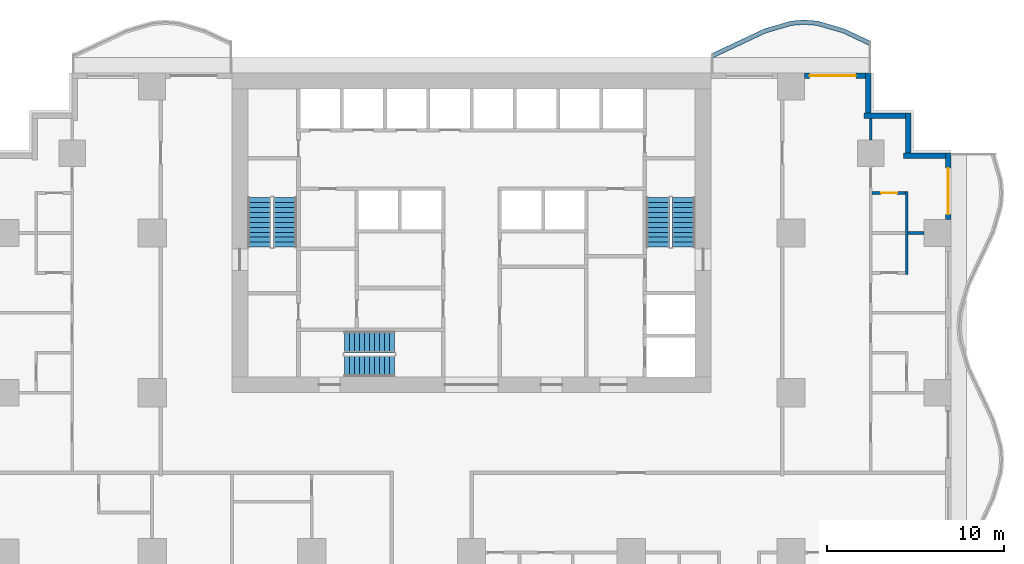
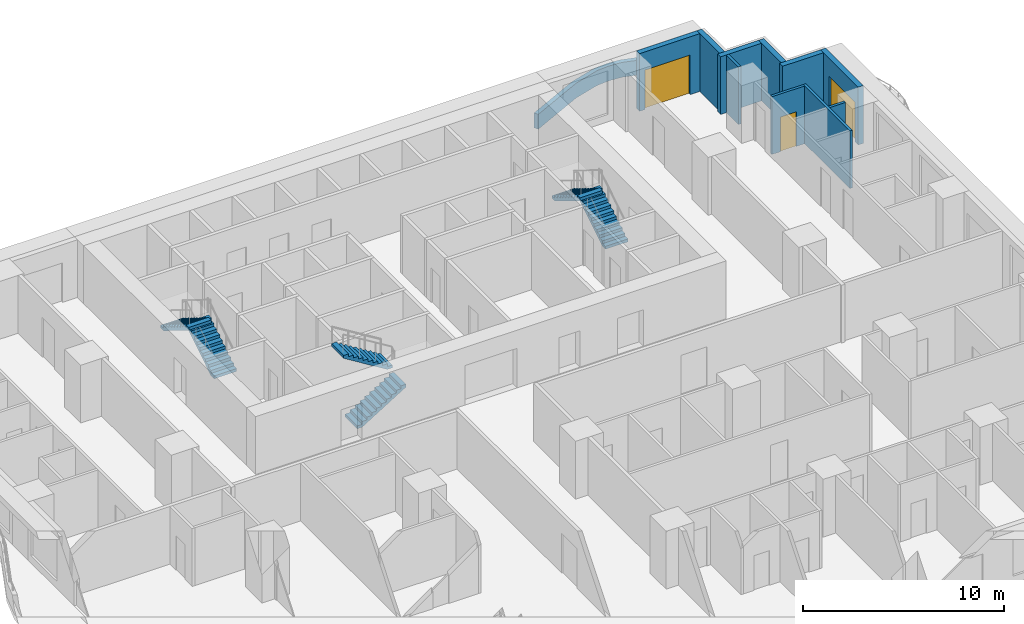
# One storey, part 7 of 14: 11 walls, 6 stair flights, 3 doors, 3 openings, 3 elements without a shape of their own.
"""IFC4 building model written with IfcOpenShell, lengths in metres."""

from ifc_helpers import new_model, si_unit, direction, frame, frame_2d, origin, place, context, subcontext, project, spatial, polyline, rectangle, outline, extrude, material, layer, layer_set, type_object, element, fill, aggregate, save


model = new_model("IFC4")

# Units and contexts
model_context = context("Model", 3, precision=1e-05, world=origin(), true_north=direction((0.0, 1.0)))
body_context = subcontext(model_context, "Body", "Model", "MODEL_VIEW")
ifc_project = project(units=[si_unit("LENGTHUNIT", "METRE"), si_unit("AREAUNIT", "SQUARE_METRE"), si_unit("VOLUMEUNIT", "CUBIC_METRE"), si_unit("PLANEANGLEUNIT", "RADIAN"), si_unit("MASSUNIT", "GRAM", prefix="KILO")], contexts=[model_context])

# Site, building, storey
site_placement = place(None, origin())
site = spatial("IfcSite", under=ifc_project, at=site_placement, CompositionType="ELEMENT")
building_placement = place(site_placement, origin())
building = spatial("IfcBuilding", under=site, at=building_placement, Name="Orbiselva Terraces", CompositionType="ELEMENT")
storey_placement = place(building_placement, frame((0.0, 0.0, 15.0)))
storey = spatial("IfcBuildingStorey", under=building, at=storey_placement, Name="L03", CompositionType="ELEMENT", Elevation=15.0)

# Wall
ifc_material_1 = material(Name="Concrete C40/50", Category="concrete")
ifc_layer_1 = layer(ifc_material_1, 0.25)
ifc_layer_set_1 = layer_set([ifc_layer_1], Name="Concrete C40/50")
wall_type_1 = type_object("IfcWallType", Name="ENV-PLANTER-250x900", PredefinedType="USERDEFINED", material=ifc_layer_set_1)
wall_1_placement = place(storey_placement, origin())
element("IfcWall", 1, at=wall_1_placement, inside=storey, type_object=wall_type_1, Name="Balcony planter L03 NE", ObjectType="PLANTER", PredefinedType="USERDEFINED", context=body_context, shape_type="SweptSolid", body=[
    extrude(outline(polyline([(22.5, 24.3), (21.0, 25.005342), (19.5, 25.441268), (18.75, 25.5), (18.0, 25.441268), (16.5, 25.005342), (15.0, 24.3), (13.5, 23.594658), (13.606383, 23.368422), (15.106383, 24.073764), (16.588618, 24.770753), (18.045114, 25.194035), (18.75, 25.249235), (19.454886, 25.194035), (20.911382, 24.770753), (22.393617, 24.073764), (22.5, 24.3)])), origin(), (0.0, 0.0, 1.0), 0.9),
])

# Wall, opening, door
ifc_material_2 = material(Name="Terracotta cladding on masonry backing", Category="masonry")
ifc_layer_2 = layer(ifc_material_2, 0.3)
ifc_layer_set_2 = layer_set([ifc_layer_2], Name="Terracotta cladding on masonry backing")
wall_type_2 = type_object("IfcWallType", Name="ENV-WALL-TERRACOTTA-300", PredefinedType="SOLIDWALL", material=ifc_layer_set_2)
wall_2_placement = place(storey_placement, frame((26.85, 18.0, 0.0), z_axis=(0.0, 0.0, 1.0), x_axis=(0.0, -1.0, 0.0)))
wall_2 = element("IfcWall", 2, at=wall_2_placement, inside=storey, type_object=wall_type_2, Name="Facade wall L03 E", PredefinedType="SOLIDWALL", context=body_context, shape_type="SweptSolid", body=[
    extrude(rectangle(XDim=3.75, YDim=0.3, at=frame_2d((1.875, 0.0))), origin(), (0.0, 0.0, 1.0), 3.5),
])
opening_1_placement = place(wall_2_placement, frame((0.85, 0.0, 0.0)))
opening_1 = element("IfcOpeningElement", 3, at=opening_1_placement, cuts=wall_2, Name="Opening Z1-A-E06", PredefinedType="OPENING", context=body_context, shape_type="SweptSolid", body=[
    extrude(rectangle(XDim=2.6, YDim=2.4, at=frame_2d((1.3, 1.2))), frame((0.0, 0.16, 0.0), z_axis=(0.0, -1.0, 0.0), x_axis=(1.0, 0.0, 0.0)), (0.0, 0.0, 1.0), 0.32),
])
ifc_material_3 = material(Name="Clear low-e glazing in aluminium frame", Category="aluminium")
door_type_1 = type_object("IfcDoorType", Name="BALCONY DOOR 2600 X 2400", OperationType="DOUBLE_DOOR_SLIDING", PredefinedType="DOOR", material=ifc_material_3)
door_1_placement = place(opening_1_placement, origin())
door_1 = element("IfcDoor", 4, at=door_1_placement, inside=storey, type_object=door_type_1, Name="Z1-A-E06", OperationType="SINGLE_SWING_LEFT", OverallHeight=2.4, OverallWidth=2.6, PredefinedType="DOOR", context=body_context, shape_type="SweptSolid", body=[
    extrude(rectangle(XDim=2.6, YDim=2.4, at=frame_2d((1.3, 1.2))), frame((0.0, 0.025, 0.0), z_axis=(0.0, -1.0, 0.0), x_axis=(1.0, 0.0, 0.0)), (0.0, 0.0, 1.0), 0.05),
])
fill(opening_1, door_1)

# Walls
wall_3_placement = place(storey_placement, frame((24.35, 17.85, 0.0), z_axis=(0.0, 0.0, 1.0), x_axis=(1.0, 0.0, 0.0)))
element("IfcWall", 5, at=wall_3_placement, inside=storey, type_object=wall_type_2, Name="Facade wall L03 STEP", PredefinedType="SOLIDWALL", context=body_context, shape_type="SweptSolid", body=[
    extrude(rectangle(XDim=2.35, YDim=0.3, at=frame_2d((1.175, 0.0))), origin(), (0.0, 0.0, 1.0), 3.5),
])
wall_4_placement = place(storey_placement, frame((24.6, 20.25, 0.0), z_axis=(0.0, 0.0, 1.0), x_axis=(0.0, -1.0, 0.0)))
element("IfcWall", 6, at=wall_4_placement, inside=storey, type_object=wall_type_2, Name="Facade wall L03 STEP", PredefinedType="SOLIDWALL", context=body_context, shape_type="SweptSolid", body=[
    extrude(rectangle(XDim=2.25, YDim=0.3, at=frame_2d((1.125, 0.0))), origin(), (0.0, 0.0, 1.0), 3.5),
])
wall_5_placement = place(storey_placement, frame((22.1, 20.1, 0.0), z_axis=(0.0, 0.0, 1.0), x_axis=(1.0, 0.0, 0.0)))
element("IfcWall", 7, at=wall_5_placement, inside=storey, type_object=wall_type_2, Name="Facade wall L03 STEP", PredefinedType="SOLIDWALL", context=body_context, shape_type="SweptSolid", body=[
    extrude(rectangle(XDim=2.35, YDim=0.3, at=frame_2d((1.175, 0.0))), origin(), (0.0, 0.0, 1.0), 3.5),
])
wall_6_placement = place(storey_placement, frame((22.35, 22.5, 0.0), z_axis=(0.0, 0.0, 1.0), x_axis=(0.0, -1.0, 0.0)))
element("IfcWall", 8, at=wall_6_placement, inside=storey, type_object=wall_type_2, Name="Facade wall L03 STEP", PredefinedType="SOLIDWALL", context=body_context, shape_type="SweptSolid", body=[
    extrude(rectangle(XDim=2.25, YDim=0.3, at=frame_2d((1.125, 0.0))), origin(), (0.0, 0.0, 1.0), 3.5),
])

# Wall, opening, door
wall_7_placement = place(storey_placement, frame((18.75, 22.35, 0.0), z_axis=(0.0, 0.0, 1.0), x_axis=(1.0, 0.0, 0.0)))
wall_7 = element("IfcWall", 9, at=wall_7_placement, inside=storey, type_object=wall_type_2, Name="Facade wall L03 NE", PredefinedType="SOLIDWALL", context=body_context, shape_type="SweptSolid", body=[
    extrude(rectangle(XDim=3.45, YDim=0.3, at=frame_2d((1.725, 0.0))), origin(), (0.0, 0.0, 1.0), 3.5),
])
opening_2_placement = place(wall_7_placement, frame((0.3, 0.0, 0.0)))
opening_2 = element("IfcOpeningElement", 10, at=opening_2_placement, cuts=wall_7, Name="Opening Z1-A-E07", PredefinedType="OPENING", context=body_context, shape_type="SweptSolid", body=[
    extrude(rectangle(XDim=2.6, YDim=2.4, at=frame_2d((1.3, 1.2))), frame((0.0, 0.16, 0.0), z_axis=(0.0, -1.0, 0.0), x_axis=(1.0, 0.0, 0.0)), (0.0, 0.0, 1.0), 0.32),
])
door_2_placement = place(opening_2_placement, origin())
door_2 = element("IfcDoor", 11, at=door_2_placement, inside=storey, type_object=door_type_1, Name="Z1-A-E07", OperationType="SINGLE_SWING_LEFT", OverallHeight=2.4, OverallWidth=2.6, PredefinedType="DOOR", context=body_context, shape_type="SweptSolid", body=[
    extrude(rectangle(XDim=2.6, YDim=2.4, at=frame_2d((1.3, 1.2))), frame((0.0, 0.025, 0.0), z_axis=(0.0, -1.0, 0.0), x_axis=(1.0, 0.0, 0.0)), (0.0, 0.0, 1.0), 0.05),
])
fill(opening_2, door_2)

# Wall
ifc_material_4 = material(Name="Plasterboard on steel stud partition", Category="steel")
ifc_layer_3 = layer(ifc_material_4, 0.15)
ifc_layer_set_3 = layer_set([ifc_layer_3], Name="Plasterboard on steel stud partition")
wall_type_3 = type_object("IfcWallType", Name="UNIT-PARTITION-150", PredefinedType="PARTITIONING", material=ifc_layer_set_3)
wall_8_placement = place(storey_placement, frame((24.6, 13.5, 0.0), z_axis=(0.0, 0.0, 1.0), x_axis=(1.0, 0.0, 0.0)))
element("IfcWall", 12, at=wall_8_placement, inside=storey, type_object=wall_type_3, Name="PARTITION L03-044", PredefinedType="PARTITIONING", context=body_context, shape_type="SweptSolid", body=[
    extrude(rectangle(XDim=0.9, YDim=0.15, at=frame_2d((0.45, 0.0))), origin(), (0.0, 0.0, 1.0), 3.5),
])

# Wall, opening, door
wall_9_placement = place(storey_placement, frame((24.45, 15.75, 0.0), z_axis=(0.0, 0.0, 1.0), x_axis=(-1.0, 0.0, 0.0)))
wall_9 = element("IfcWall", 13, at=wall_9_placement, inside=storey, type_object=wall_type_3, Name="PARTITION L03-046", PredefinedType="PARTITIONING", context=body_context, shape_type="SweptSolid", body=[
    extrude(rectangle(XDim=1.875, YDim=0.15, at=frame_2d((0.9375, 0.0))), origin(), (0.0, 0.0, 1.0), 3.5),
])
opening_3_placement = place(wall_9_placement, frame((0.475, 0.0, 0.0)))
opening_3 = element("IfcOpeningElement", 14, at=opening_3_placement, cuts=wall_9, Name="Opening Z1-A-16", PredefinedType="OPENING", context=body_context, shape_type="SweptSolid", body=[
    extrude(rectangle(XDim=0.9, YDim=2.1, at=frame_2d((0.45, 1.05))), frame((0.0, 0.085, 0.0), z_axis=(0.0, -1.0, 0.0), x_axis=(1.0, 0.0, 0.0)), (0.0, 0.0, 1.0), 0.17),
])
ifc_material_5 = material(Name="Painted timber door leaf", Category="wood")
door_type_2 = type_object("IfcDoorType", Name="BATH DOOR 900", OperationType="NOTDEFINED", PredefinedType="DOOR", material=ifc_material_5)
door_3_placement = place(opening_3_placement, origin())
door_3 = element("IfcDoor", 15, at=door_3_placement, inside=storey, type_object=door_type_2, Name="Z1-A-16", OperationType="SINGLE_SWING_LEFT", OverallHeight=2.1, OverallWidth=0.9, PredefinedType="DOOR", context=body_context, shape_type="SweptSolid", body=[
    extrude(rectangle(XDim=0.9, YDim=2.1, at=frame_2d((0.45, 1.05))), frame((0.0, 0.025, 0.0), z_axis=(0.0, -1.0, 0.0), x_axis=(1.0, 0.0, 0.0)), (0.0, 0.0, 1.0), 0.05),
])
fill(opening_3, door_3)

# Walls
wall_10_placement = place(storey_placement, frame((22.5, 18.75, 0.0), z_axis=(0.0, 0.0, 1.0), x_axis=(0.0, 1.0, 0.0)))
element("IfcWall", 16, at=wall_10_placement, inside=storey, type_object=wall_type_3, Name="PARTITION L03-089", PredefinedType="PARTITIONING", context=body_context, shape_type="SweptSolid", body=[
    extrude(rectangle(XDim=1.2, YDim=0.15, at=frame_2d((0.6, 0.0))), origin(), (0.0, 0.0, 1.0), 3.5),
])
wall_11_placement = place(storey_placement, frame((24.525, 11.175, 0.0), z_axis=(0.0, 0.0, 1.0), x_axis=(0.0, 1.0, 0.0)))
element("IfcWall", 17, at=wall_11_placement, inside=storey, type_object=wall_type_3, Name="PARTITION L03-091", PredefinedType="PARTITIONING", context=body_context, shape_type="SweptSolid", body=[
    extrude(rectangle(XDim=4.65, YDim=0.15, at=frame_2d((2.325, 0.0))), origin(), (0.0, 0.0, 1.0), 3.5),
])

# Stair, stair flights
stair_type_1 = type_object("IfcStairType", Name="CORE-STAIR-1200", PredefinedType="HALF_TURN_STAIR", material=ifc_material_1)
stair_1_placement = place(storey_placement, origin())
stair_1 = element("IfcStair", 18, at=stair_1_placement, inside=storey, type_object=stair_type_1, Name="L03 Exit Stair S3", PredefinedType="HALF_TURN_STAIR")
stair_flight_type_1 = type_object("IfcStairFlightType", Name="CORE-STAIR-FLIGHT-1200", PredefinedType="STRAIGHT", material=ifc_material_1)
stair_flight_1_placement = place(storey_placement, frame((-7.15, 6.0, 0.0), z_axis=(0.0, 0.0, 1.0), x_axis=(1.0, 0.0, 0.0)))
stair_flight_1 = element("IfcStairFlight", 19, at=stair_flight_1_placement, type_object=stair_flight_type_1, Name="S3 flight 1", NumberOfRisers=11, NumberOfTreads=10, PredefinedType="STRAIGHT", RiserHeight=0.172727273, TreadLength=0.28, context=body_context, shape_type="SweptSolid", body=[
    extrude(outline(polyline([(0.0, 0.0), (0.0, 0.172727), (0.28, 0.172727), (0.28, 0.345455), (0.56, 0.345455), (0.56, 0.518182), (0.84, 0.518182), (0.84, 0.690909), (1.12, 0.690909), (1.12, 0.863636), (1.4, 0.863636), (1.4, 1.036364), (1.68, 1.036364), (1.68, 1.209091), (1.96, 1.209091), (1.96, 1.381818), (2.24, 1.381818), (2.24, 1.554545), (2.52, 1.554545), (2.52, 1.727273), (2.8, 1.727273), (2.8, 1.9), (2.8, 1.551028), (0.285702, 0.0), (0.0, 0.0)])), frame((0.0, 0.6, 0.0), z_axis=(0.0, -1.0, 0.0), x_axis=(1.0, 0.0, 0.0)), (0.0, 0.0, 1.0), 1.2),
])
stair_flight_2_placement = place(storey_placement, frame((-4.35, 7.35, 1.9), z_axis=(0.0, 0.0, 1.0), x_axis=(-1.0, 0.0, 0.0)))
stair_flight_2 = element("IfcStairFlight", 20, at=stair_flight_2_placement, type_object=stair_flight_type_1, Name="S3 flight 2", NumberOfRisers=11, NumberOfTreads=10, PredefinedType="STRAIGHT", RiserHeight=0.172727273, TreadLength=0.28, context=body_context, shape_type="SweptSolid", body=[
    extrude(outline(polyline([(0.0, 0.0), (0.0, 0.172727), (0.28, 0.172727), (0.28, 0.345455), (0.56, 0.345455), (0.56, 0.518182), (0.84, 0.518182), (0.84, 0.690909), (1.12, 0.690909), (1.12, 0.863636), (1.4, 0.863636), (1.4, 1.036364), (1.68, 1.036364), (1.68, 1.209091), (1.96, 1.209091), (1.96, 1.381818), (2.24, 1.381818), (2.24, 1.554545), (2.52, 1.554545), (2.52, 1.727273), (2.8, 1.727273), (2.8, 1.9), (2.8, 1.551028), (0.285702, 0.0), (0.0, 0.0)])), frame((0.0, 0.6, 0.0), z_axis=(0.0, -1.0, 0.0), x_axis=(1.0, 0.0, 0.0)), (0.0, 0.0, 1.0), 1.2),
])
aggregate(stair_1, [stair_flight_1, stair_flight_2])

stair_type_2 = type_object("IfcStairType", Name="CORE-STAIR-1300", PredefinedType="HALF_TURN_STAIR", material=ifc_material_1)
stair_2_placement = place(storey_placement, origin())
stair_2 = element("IfcStair", 21, at=stair_2_placement, inside=storey, type_object=stair_type_2, Name="L03 Exit Stair S1", PredefinedType="HALF_TURN_STAIR")
stair_flight_type_2 = type_object("IfcStairFlightType", Name="CORE-STAIR-FLIGHT-1300", PredefinedType="STRAIGHT", material=ifc_material_1)
stair_flight_3_placement = place(storey_placement, frame((-10.5, 12.7, 0.0), z_axis=(0.0, 0.0, 1.0), x_axis=(0.0, 1.0, 0.0)))
stair_flight_3 = element("IfcStairFlight", 22, at=stair_flight_3_placement, type_object=stair_flight_type_2, Name="S1 flight 1", NumberOfRisers=11, NumberOfTreads=10, PredefinedType="STRAIGHT", RiserHeight=0.172727273, TreadLength=0.28, context=body_context, shape_type="SweptSolid", body=[
    extrude(outline(polyline([(0.0, 0.0), (0.0, 0.172727), (0.28, 0.172727), (0.28, 0.345455), (0.56, 0.345455), (0.56, 0.518182), (0.84, 0.518182), (0.84, 0.690909), (1.12, 0.690909), (1.12, 0.863636), (1.4, 0.863636), (1.4, 1.036364), (1.68, 1.036364), (1.68, 1.209091), (1.96, 1.209091), (1.96, 1.381818), (2.24, 1.381818), (2.24, 1.554545), (2.52, 1.554545), (2.52, 1.727273), (2.8, 1.727273), (2.8, 1.9), (2.8, 1.551028), (0.285702, 0.0), (0.0, 0.0)])), frame((0.0, 0.65, 0.0), z_axis=(0.0, -1.0, 0.0), x_axis=(1.0, 0.0, 0.0)), (0.0, 0.0, 1.0), 1.3),
])
stair_flight_4_placement = place(storey_placement, frame((-11.95, 15.5, 1.9), z_axis=(0.0, 0.0, 1.0), x_axis=(0.0, -1.0, 0.0)))
stair_flight_4 = element("IfcStairFlight", 23, at=stair_flight_4_placement, type_object=stair_flight_type_2, Name="S1 flight 2", NumberOfRisers=11, NumberOfTreads=10, PredefinedType="STRAIGHT", RiserHeight=0.172727273, TreadLength=0.28, context=body_context, shape_type="SweptSolid", body=[
    extrude(outline(polyline([(0.0, 0.0), (0.0, 0.172727), (0.28, 0.172727), (0.28, 0.345455), (0.56, 0.345455), (0.56, 0.518182), (0.84, 0.518182), (0.84, 0.690909), (1.12, 0.690909), (1.12, 0.863636), (1.4, 0.863636), (1.4, 1.036364), (1.68, 1.036364), (1.68, 1.209091), (1.96, 1.209091), (1.96, 1.381818), (2.24, 1.381818), (2.24, 1.554545), (2.52, 1.554545), (2.52, 1.727273), (2.8, 1.727273), (2.8, 1.9), (2.8, 1.551028), (0.285702, 0.0), (0.0, 0.0)])), frame((0.0, 0.65, 0.0), z_axis=(0.0, -1.0, 0.0), x_axis=(1.0, 0.0, 0.0)), (0.0, 0.0, 1.0), 1.3),
])
aggregate(stair_2, [stair_flight_3, stair_flight_4])

stair_3_placement = place(storey_placement, origin())
stair_3 = element("IfcStair", 24, at=stair_3_placement, inside=storey, type_object=stair_type_2, Name="L03 Exit Stair S2", PredefinedType="HALF_TURN_STAIR")
stair_flight_5_placement = place(storey_placement, frame((11.95, 12.7, 0.0), z_axis=(0.0, 0.0, 1.0), x_axis=(0.0, 1.0, 0.0)))
stair_flight_5 = element("IfcStairFlight", 25, at=stair_flight_5_placement, type_object=stair_flight_type_2, Name="S2 flight 1", NumberOfRisers=11, NumberOfTreads=10, PredefinedType="STRAIGHT", RiserHeight=0.172727273, TreadLength=0.28, context=body_context, shape_type="SweptSolid", body=[
    extrude(outline(polyline([(0.0, 0.0), (0.0, 0.172727), (0.28, 0.172727), (0.28, 0.345455), (0.56, 0.345455), (0.56, 0.518182), (0.84, 0.518182), (0.84, 0.690909), (1.12, 0.690909), (1.12, 0.863636), (1.4, 0.863636), (1.4, 1.036364), (1.68, 1.036364), (1.68, 1.209091), (1.96, 1.209091), (1.96, 1.381818), (2.24, 1.381818), (2.24, 1.554545), (2.52, 1.554545), (2.52, 1.727273), (2.8, 1.727273), (2.8, 1.9), (2.8, 1.551028), (0.285702, 0.0), (0.0, 0.0)])), frame((0.0, 0.65, 0.0), z_axis=(0.0, -1.0, 0.0), x_axis=(1.0, 0.0, 0.0)), (0.0, 0.0, 1.0), 1.3),
])
stair_flight_6_placement = place(storey_placement, frame((10.5, 15.5, 1.9), z_axis=(0.0, 0.0, 1.0), x_axis=(0.0, -1.0, 0.0)))
stair_flight_6 = element("IfcStairFlight", 26, at=stair_flight_6_placement, type_object=stair_flight_type_2, Name="S2 flight 2", NumberOfRisers=11, NumberOfTreads=10, PredefinedType="STRAIGHT", RiserHeight=0.172727273, TreadLength=0.28, context=body_context, shape_type="SweptSolid", body=[
    extrude(outline(polyline([(0.0, 0.0), (0.0, 0.172727), (0.28, 0.172727), (0.28, 0.345455), (0.56, 0.345455), (0.56, 0.518182), (0.84, 0.518182), (0.84, 0.690909), (1.12, 0.690909), (1.12, 0.863636), (1.4, 0.863636), (1.4, 1.036364), (1.68, 1.036364), (1.68, 1.209091), (1.96, 1.209091), (1.96, 1.381818), (2.24, 1.381818), (2.24, 1.554545), (2.52, 1.554545), (2.52, 1.727273), (2.8, 1.727273), (2.8, 1.9), (2.8, 1.551028), (0.285702, 0.0), (0.0, 0.0)])), frame((0.0, 0.65, 0.0), z_axis=(0.0, -1.0, 0.0), x_axis=(1.0, 0.0, 0.0)), (0.0, 0.0, 1.0), 1.3),
])
aggregate(stair_3, [stair_flight_5, stair_flight_6])

save(model, "model.ifc")
